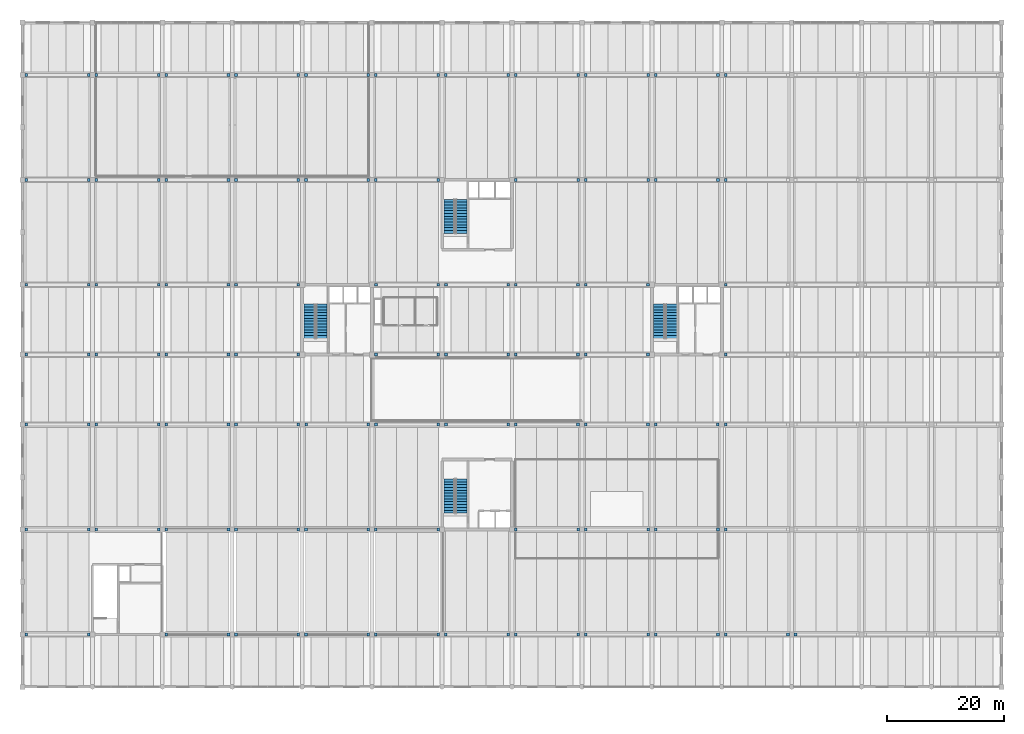
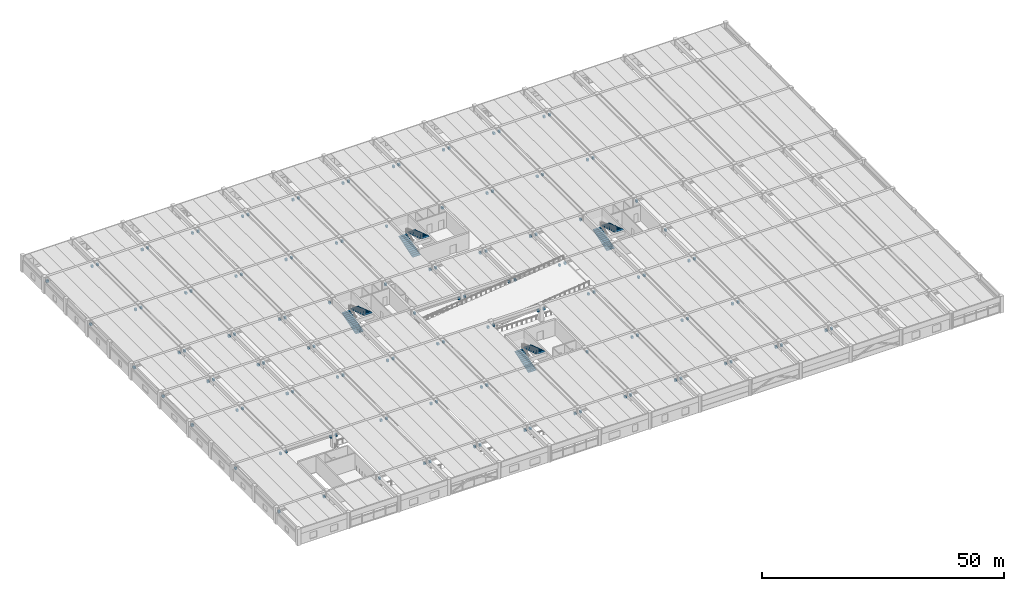
# One storey, part 41 of 50: 135 discrete accessories, 8 stair flights, 4 elements without a shape of their own.
"""IFC4 building model written with IfcOpenShell, lengths in metres."""

from ifc_helpers import new_model, si_unit, direction, frame, origin, origin_2d, place, context, subcontext, project, spatial, polyline, rectangle, outline, extrude, material, type_object, element, aggregate, save


model = new_model("IFC4")

# Units and contexts
model_context = context("Model", 3, precision=1e-05, world=origin(), true_north=direction((0.0, 1.0)))
body_context = subcontext(model_context, "Body", "Model", "MODEL_VIEW")
ifc_project = project(units=[si_unit("LENGTHUNIT", "METRE"), si_unit("AREAUNIT", "SQUARE_METRE"), si_unit("VOLUMEUNIT", "CUBIC_METRE"), si_unit("PLANEANGLEUNIT", "RADIAN"), si_unit("MASSUNIT", "GRAM", prefix="KILO")], contexts=[model_context])

# Site, building, storey
site_placement = place(None, origin())
site = spatial("IfcSite", under=ifc_project, at=site_placement, CompositionType="ELEMENT")
building_placement = place(site_placement, origin())
building = spatial("IfcBuilding", under=site, at=building_placement, Name="Girod Span Mobility Hub", CompositionType="ELEMENT")
storey_placement = place(building_placement, frame((0.0, 0.0, 5.39990234375)))
storey = spatial("IfcBuildingStorey", under=building, at=storey_placement, Name="L01", CompositionType="ELEMENT", Elevation=5.39990234375)

# Stair, stair flights
ifc_material_1 = material(Name="Concrete C40/50", Category="concrete")
stair_type = type_object("IfcStairType", Name="STR-4200-W1860", PredefinedType="HALF_TURN_STAIR", material=ifc_material_1)
stair_1_placement = place(storey_placement, origin())
stair_1 = element("IfcStair", 1, at=stair_1_placement, inside=storey, type_object=stair_type, Name="Exit Stair ST-1 L01", PredefinedType="HALF_TURN_STAIR")
ifc_material_2 = material(Name="Concrete C40/50", Category="concrete")
stair_flight_type = type_object("IfcStairFlightType", Name="STF-2100-W1860", PredefinedType="STRAIGHT", material=ifc_material_2)
stair_flight_1_placement = place(storey_placement, frame((49.25, 59.81005859375, 0.0), z_axis=(0.0, 0.0, 1.0), x_axis=(0.0, 1.0, 0.0)))
stair_flight_1 = element("IfcStairFlight", 2, at=stair_flight_1_placement, type_object=stair_flight_type, Name="Stair ST-1 Flight 1 L01", NumberOfRisers=13, NumberOfTreads=12, PredefinedType="STRAIGHT", RiserHeight=0.16154, TreadLength=0.4875, context=body_context, shape_type="SweptSolid", body=[
    extrude(outline(polyline([(0.0, 0.0), (0.0, 0.16162109375), (0.487548828125, 0.16162109375), (0.487548828125, 0.322998046875), (0.97509765625, 0.322998046875), (0.97509765625, 0.484619140625), (1.46240234375, 0.484619140625), (1.46240234375, 0.646240234375), (1.949951171875, 0.646240234375), (1.949951171875, 0.8076171875), (2.4375, 0.8076171875), (2.4375, 0.96923828125), (2.925048828125, 0.96923828125), (2.925048828125, 1.130859375), (3.41259765625, 1.130859375), (3.41259765625, 1.292236328125), (3.89990234375, 1.292236328125), (3.89990234375, 1.453857421875), (4.387451171875, 1.453857421875), (4.387451171875, 1.615478515625), (4.875, 1.615478515625), (4.875, 1.77685546875), (5.362548828125, 1.77685546875), (5.362548828125, 1.9384765625), (5.85009765625, 1.9384765625), (5.85009765625, 2.10009765625), (5.85009765625, 1.73828125), (0.603759765625, 0.0), (0.0, 0.0)])), frame((0.0, 0.93017578125, 0.0), z_axis=(0.0, -1.0, 0.0), x_axis=(1.0, 0.0, 0.0)), (0.0, 0.0, 1.0), 1.860107421875),
])
stair_flight_2_placement = place(storey_placement, frame((51.35009765625, 65.659912109375, 2.10009765625), z_axis=(0.0, 0.0, 1.0), x_axis=(0.0, -1.0, 0.0)))
stair_flight_2 = element("IfcStairFlight", 3, at=stair_flight_2_placement, type_object=stair_flight_type, Name="Stair ST-1 Flight 2 L01", NumberOfRisers=13, NumberOfTreads=12, PredefinedType="STRAIGHT", RiserHeight=0.16154, TreadLength=0.4875, context=body_context, shape_type="SweptSolid", body=[
    extrude(outline(polyline([(0.0, 0.0), (0.0, 0.16162109375), (0.487548828125, 0.16162109375), (0.487548828125, 0.322998046875), (0.97509765625, 0.322998046875), (0.97509765625, 0.484619140625), (1.46240234375, 0.484619140625), (1.46240234375, 0.646240234375), (1.949951171875, 0.646240234375), (1.949951171875, 0.8076171875), (2.4375, 0.8076171875), (2.4375, 0.96923828125), (2.925048828125, 0.96923828125), (2.925048828125, 1.130859375), (3.41259765625, 1.130859375), (3.41259765625, 1.292236328125), (3.89990234375, 1.292236328125), (3.89990234375, 1.453857421875), (4.387451171875, 1.453857421875), (4.387451171875, 1.615478515625), (4.875, 1.615478515625), (4.875, 1.77685546875), (5.362548828125, 1.77685546875), (5.362548828125, 1.9384765625), (5.85009765625, 1.9384765625), (5.85009765625, 2.10009765625), (5.85009765625, 1.73828125), (0.603759765625, 0.0), (0.0, 0.0)])), frame((0.0, 0.93017578125, 0.0), z_axis=(0.0, -1.0, 0.0), x_axis=(1.0, 0.0, 0.0)), (0.0, 0.0, 1.0), 1.860107421875),
])
aggregate(stair_1, [stair_flight_1, stair_flight_2])

stair_2_placement = place(storey_placement, origin())
stair_2 = element("IfcStair", 4, at=stair_2_placement, inside=storey, type_object=stair_type, Name="Exit Stair ST-2 L01", PredefinedType="HALF_TURN_STAIR")
stair_flight_3_placement = place(storey_placement, frame((109.25, 59.81005859375, 0.0), z_axis=(0.0, 0.0, 1.0), x_axis=(0.0, 1.0, 0.0)))
stair_flight_3 = element("IfcStairFlight", 5, at=stair_flight_3_placement, type_object=stair_flight_type, Name="Stair ST-2 Flight 1 L01", NumberOfRisers=13, NumberOfTreads=12, PredefinedType="STRAIGHT", RiserHeight=0.16154, TreadLength=0.4875, context=body_context, shape_type="SweptSolid", body=[
    extrude(outline(polyline([(0.0, 0.0), (0.0, 0.16162109375), (0.487548828125, 0.16162109375), (0.487548828125, 0.322998046875), (0.97509765625, 0.322998046875), (0.97509765625, 0.484619140625), (1.46240234375, 0.484619140625), (1.46240234375, 0.646240234375), (1.949951171875, 0.646240234375), (1.949951171875, 0.8076171875), (2.4375, 0.8076171875), (2.4375, 0.96923828125), (2.925048828125, 0.96923828125), (2.925048828125, 1.130859375), (3.41259765625, 1.130859375), (3.41259765625, 1.292236328125), (3.89990234375, 1.292236328125), (3.89990234375, 1.453857421875), (4.387451171875, 1.453857421875), (4.387451171875, 1.615478515625), (4.875, 1.615478515625), (4.875, 1.77685546875), (5.362548828125, 1.77685546875), (5.362548828125, 1.9384765625), (5.85009765625, 1.9384765625), (5.85009765625, 2.10009765625), (5.85009765625, 1.73828125), (0.603759765625, 0.0), (0.0, 0.0)])), frame((0.0, 0.93017578125, 0.0), z_axis=(0.0, -1.0, 0.0), x_axis=(1.0, 0.0, 0.0)), (0.0, 0.0, 1.0), 1.860107421875),
])
stair_flight_4_placement = place(storey_placement, frame((111.35009765625, 65.659912109375, 2.10009765625), z_axis=(0.0, 0.0, 1.0), x_axis=(0.0, -1.0, 0.0)))
stair_flight_4 = element("IfcStairFlight", 6, at=stair_flight_4_placement, type_object=stair_flight_type, Name="Stair ST-2 Flight 2 L01", NumberOfRisers=13, NumberOfTreads=12, PredefinedType="STRAIGHT", RiserHeight=0.16154, TreadLength=0.4875, context=body_context, shape_type="SweptSolid", body=[
    extrude(outline(polyline([(0.0, 0.0), (0.0, 0.16162109375), (0.487548828125, 0.16162109375), (0.487548828125, 0.322998046875), (0.97509765625, 0.322998046875), (0.97509765625, 0.484619140625), (1.46240234375, 0.484619140625), (1.46240234375, 0.646240234375), (1.949951171875, 0.646240234375), (1.949951171875, 0.8076171875), (2.4375, 0.8076171875), (2.4375, 0.96923828125), (2.925048828125, 0.96923828125), (2.925048828125, 1.130859375), (3.41259765625, 1.130859375), (3.41259765625, 1.292236328125), (3.89990234375, 1.292236328125), (3.89990234375, 1.453857421875), (4.387451171875, 1.453857421875), (4.387451171875, 1.615478515625), (4.875, 1.615478515625), (4.875, 1.77685546875), (5.362548828125, 1.77685546875), (5.362548828125, 1.9384765625), (5.85009765625, 1.9384765625), (5.85009765625, 2.10009765625), (5.85009765625, 1.73828125), (0.603759765625, 0.0), (0.0, 0.0)])), frame((0.0, 0.93017578125, 0.0), z_axis=(0.0, -1.0, 0.0), x_axis=(1.0, 0.0, 0.0)), (0.0, 0.0, 1.0), 1.860107421875),
])
aggregate(stair_2, [stair_flight_3, stair_flight_4])

stair_3_placement = place(storey_placement, origin())
stair_3 = element("IfcStair", 7, at=stair_3_placement, inside=storey, type_object=stair_type, Name="Exit Stair ST-3 L01", PredefinedType="HALF_TURN_STAIR")
stair_flight_5_placement = place(storey_placement, frame((73.25, 29.81005859375, 0.0), z_axis=(0.0, 0.0, 1.0), x_axis=(0.0, 1.0, 0.0)))
stair_flight_5 = element("IfcStairFlight", 8, at=stair_flight_5_placement, type_object=stair_flight_type, Name="Stair ST-3 Flight 1 L01", NumberOfRisers=13, NumberOfTreads=12, PredefinedType="STRAIGHT", RiserHeight=0.16154, TreadLength=0.4875, context=body_context, shape_type="SweptSolid", body=[
    extrude(outline(polyline([(0.0, 0.0), (0.0, 0.16162109375), (0.487548828125, 0.16162109375), (0.487548828125, 0.322998046875), (0.97509765625, 0.322998046875), (0.97509765625, 0.484619140625), (1.46240234375, 0.484619140625), (1.46240234375, 0.646240234375), (1.949951171875, 0.646240234375), (1.949951171875, 0.8076171875), (2.4375, 0.8076171875), (2.4375, 0.96923828125), (2.925048828125, 0.96923828125), (2.925048828125, 1.130859375), (3.41259765625, 1.130859375), (3.41259765625, 1.292236328125), (3.89990234375, 1.292236328125), (3.89990234375, 1.453857421875), (4.387451171875, 1.453857421875), (4.387451171875, 1.615478515625), (4.875, 1.615478515625), (4.875, 1.77685546875), (5.362548828125, 1.77685546875), (5.362548828125, 1.9384765625), (5.85009765625, 1.9384765625), (5.85009765625, 2.10009765625), (5.85009765625, 1.73828125), (0.603759765625, 0.0), (0.0, 0.0)])), frame((0.0, 0.93017578125, 0.0), z_axis=(0.0, -1.0, 0.0), x_axis=(1.0, 0.0, 0.0)), (0.0, 0.0, 1.0), 1.860107421875),
])
stair_flight_6_placement = place(storey_placement, frame((75.35009765625, 35.659912109375, 2.10009765625), z_axis=(0.0, 0.0, 1.0), x_axis=(0.0, -1.0, 0.0)))
stair_flight_6 = element("IfcStairFlight", 9, at=stair_flight_6_placement, type_object=stair_flight_type, Name="Stair ST-3 Flight 2 L01", NumberOfRisers=13, NumberOfTreads=12, PredefinedType="STRAIGHT", RiserHeight=0.16154, TreadLength=0.4875, context=body_context, shape_type="SweptSolid", body=[
    extrude(outline(polyline([(0.0, 0.0), (0.0, 0.16162109375), (0.487548828125, 0.16162109375), (0.487548828125, 0.322998046875), (0.97509765625, 0.322998046875), (0.97509765625, 0.484619140625), (1.46240234375, 0.484619140625), (1.46240234375, 0.646240234375), (1.949951171875, 0.646240234375), (1.949951171875, 0.8076171875), (2.4375, 0.8076171875), (2.4375, 0.96923828125), (2.925048828125, 0.96923828125), (2.925048828125, 1.130859375), (3.41259765625, 1.130859375), (3.41259765625, 1.292236328125), (3.89990234375, 1.292236328125), (3.89990234375, 1.453857421875), (4.387451171875, 1.453857421875), (4.387451171875, 1.615478515625), (4.875, 1.615478515625), (4.875, 1.77685546875), (5.362548828125, 1.77685546875), (5.362548828125, 1.9384765625), (5.85009765625, 1.9384765625), (5.85009765625, 2.10009765625), (5.85009765625, 1.73828125), (0.603759765625, 0.0), (0.0, 0.0)])), frame((0.0, 0.93017578125, 0.0), z_axis=(0.0, -1.0, 0.0), x_axis=(1.0, 0.0, 0.0)), (0.0, 0.0, 1.0), 1.860107421875),
])
aggregate(stair_3, [stair_flight_5, stair_flight_6])

stair_4_placement = place(storey_placement, origin())
stair_4 = element("IfcStair", 10, at=stair_4_placement, inside=storey, type_object=stair_type, Name="Exit Stair ST-4 L01", PredefinedType="HALF_TURN_STAIR")
stair_flight_7_placement = place(storey_placement, frame((73.25, 77.81005859375, 0.0), z_axis=(0.0, 0.0, 1.0), x_axis=(0.0, 1.0, 0.0)))
stair_flight_7 = element("IfcStairFlight", 11, at=stair_flight_7_placement, type_object=stair_flight_type, Name="Stair ST-4 Flight 1 L01", NumberOfRisers=13, NumberOfTreads=12, PredefinedType="STRAIGHT", RiserHeight=0.16154, TreadLength=0.4875, context=body_context, shape_type="SweptSolid", body=[
    extrude(outline(polyline([(0.0, 0.0), (0.0, 0.16162109375), (0.487548828125, 0.16162109375), (0.487548828125, 0.322998046875), (0.97509765625, 0.322998046875), (0.97509765625, 0.484619140625), (1.46240234375, 0.484619140625), (1.46240234375, 0.646240234375), (1.949951171875, 0.646240234375), (1.949951171875, 0.8076171875), (2.4375, 0.8076171875), (2.4375, 0.96923828125), (2.925048828125, 0.96923828125), (2.925048828125, 1.130859375), (3.41259765625, 1.130859375), (3.41259765625, 1.292236328125), (3.89990234375, 1.292236328125), (3.89990234375, 1.453857421875), (4.387451171875, 1.453857421875), (4.387451171875, 1.615478515625), (4.875, 1.615478515625), (4.875, 1.77685546875), (5.362548828125, 1.77685546875), (5.362548828125, 1.9384765625), (5.85009765625, 1.9384765625), (5.85009765625, 2.10009765625), (5.85009765625, 1.73828125), (0.603759765625, 0.0), (0.0, 0.0)])), frame((0.0, 0.93017578125, 0.0), z_axis=(0.0, -1.0, 0.0), x_axis=(1.0, 0.0, 0.0)), (0.0, 0.0, 1.0), 1.860107421875),
])
stair_flight_8_placement = place(storey_placement, frame((75.35009765625, 83.659912109375, 2.10009765625), z_axis=(0.0, 0.0, 1.0), x_axis=(0.0, -1.0, 0.0)))
stair_flight_8 = element("IfcStairFlight", 12, at=stair_flight_8_placement, type_object=stair_flight_type, Name="Stair ST-4 Flight 2 L01", NumberOfRisers=13, NumberOfTreads=12, PredefinedType="STRAIGHT", RiserHeight=0.16154, TreadLength=0.4875, context=body_context, shape_type="SweptSolid", body=[
    extrude(outline(polyline([(0.0, 0.0), (0.0, 0.16162109375), (0.487548828125, 0.16162109375), (0.487548828125, 0.322998046875), (0.97509765625, 0.322998046875), (0.97509765625, 0.484619140625), (1.46240234375, 0.484619140625), (1.46240234375, 0.646240234375), (1.949951171875, 0.646240234375), (1.949951171875, 0.8076171875), (2.4375, 0.8076171875), (2.4375, 0.96923828125), (2.925048828125, 0.96923828125), (2.925048828125, 1.130859375), (3.41259765625, 1.130859375), (3.41259765625, 1.292236328125), (3.89990234375, 1.292236328125), (3.89990234375, 1.453857421875), (4.387451171875, 1.453857421875), (4.387451171875, 1.615478515625), (4.875, 1.615478515625), (4.875, 1.77685546875), (5.362548828125, 1.77685546875), (5.362548828125, 1.9384765625), (5.85009765625, 1.9384765625), (5.85009765625, 2.10009765625), (5.85009765625, 1.73828125), (0.603759765625, 0.0), (0.0, 0.0)])), frame((0.0, 0.93017578125, 0.0), z_axis=(0.0, -1.0, 0.0), x_axis=(1.0, 0.0, 0.0)), (0.0, 0.0, 1.0), 1.860107421875),
])
aggregate(stair_4, [stair_flight_7, stair_flight_8])

# Discrete accessories
ifc_material_3 = material(Name="Concrete C40/50", Category="concrete")
discrete_accessory_type = type_object("IfcDiscreteAccessoryType", Name="ACC-CORBEL-550", PredefinedType="BRACKET", material=ifc_material_3)
for number, where, z_axis, x_axis, name in (
    (13, (0.64794921875, 9.0, 2.44189453125), (0.0, 0.0, 1.0), (1.0, 0.0, 0.0), "Precast Corbel 1/B-L L01"),
    (14, (11.35205078125, 9.0, 2.44189453125), (0.0, 0.0, 1.0), (1.0, 0.0, 0.0), "Precast Corbel 1/B-R L01"),
    (15, (24.64794921875, 9.0, 2.44189453125), (0.0, 0.0, 1.0), (1.0, 0.0, 0.0), "Precast Corbel 3/B-L L01"),
    (16, (35.35205078125, 9.0, 2.44189453125), (0.0, 0.0, 1.0), (1.0, 0.0, 0.0), "Precast Corbel 3/B-R L01"),
    (17, (36.64794921875, 9.0, 2.44189453125), (0.0, 0.0, 1.0), (1.0, 0.0, 0.0), "Precast Corbel 4/B-L L01"),
    (18, (47.35205078125, 9.0, 2.44189453125), (0.0, 0.0, 1.0), (1.0, 0.0, 0.0), "Precast Corbel 4/B-R L01"),
    (19, (48.64794921875, 9.0, 2.44189453125), (0.0, 0.0, 1.0), (1.0, 0.0, 0.0), "Precast Corbel 5/B-L L01"),
    (20, (59.35205078125, 9.0, 2.44189453125), (0.0, 0.0, 1.0), (1.0, 0.0, 0.0), "Precast Corbel 5/B-R L01"),
    (21, (60.64794921875, 9.0, 2.44189453125), (0.0, 0.0, 1.0), (1.0, 0.0, 0.0), "Precast Corbel 6/B-L L01"),
    (22, (71.35205078125, 9.0, 2.44189453125), (0.0, 0.0, 1.0), (1.0, 0.0, 0.0), "Precast Corbel 6/B-R L01"),
    (23, (72.64794921875, 9.0, 2.44189453125), (0.0, 0.0, 1.0), (1.0, 0.0, 0.0), "Precast Corbel 7/B-L L01"),
    (24, (83.35205078125, 9.0, 2.44189453125), (0.0, 0.0, 1.0), (1.0, 0.0, 0.0), "Precast Corbel 7/B-R L01"),
    (25, (84.64794921875, 9.0, 2.44189453125), (0.0, 0.0, 1.0), (1.0, 0.0, 0.0), "Precast Corbel 8/B-L L01"),
    (26, (95.35205078125, 9.0, 2.44189453125), (0.0, 0.0, 1.0), (1.0, 0.0, 0.0), "Precast Corbel 8/B-R L01"),
    (27, (96.64794921875, 9.0, 2.44189453125), (0.0, 0.0, 1.0), (1.0, 0.0, 0.0), "Precast Corbel 9/B-L L01"),
    (28, (107.35205078125, 9.0, 2.44189453125), (0.0, 0.0, 1.0), (1.0, 0.0, 0.0), "Precast Corbel 9/B-R L01"),
    (29, (108.64794921875, 9.0, 2.44189453125), (0.0, 0.0, 1.0), (1.0, 0.0, 0.0), "Precast Corbel 10/B-L L01"),
    (30, (119.35205078125, 9.0, 2.44189453125), (0.0, 0.0, 1.0), (1.0, 0.0, 0.0), "Precast Corbel 10/B-R L01"),
    (31, (120.64794921875, 9.0, 2.44189453125), (0.0, 0.0, 1.0), (1.0, 0.0, 0.0), "Precast Corbel 11/B-L L01"),
    (32, (131.35205078125, 9.0, 2.44189453125), (0.0, 0.0, 1.0), (1.0, 0.0, 0.0), "Precast Corbel 11/B-R L01"),
    (33, (132.64794921875, 9.0, 2.44189453125), (0.0, 0.0, 1.0), (1.0, 0.0, 0.0), "Precast Corbel 12/B-L L01"),
    (34, (0.64794921875, 27.0, 2.44189453125), (0.0, 0.0, 1.0), (1.0, 0.0, 0.0), "Precast Corbel 1/C-L L01"),
    (35, (11.35205078125, 27.0, 2.44189453125), (0.0, 0.0, 1.0), (1.0, 0.0, 0.0), "Precast Corbel 1/C-R L01"),
    (36, (12.64794921875, 27.0, 2.44189453125), (0.0, 0.0, 1.0), (1.0, 0.0, 0.0), "Precast Corbel 2/C-L L01"),
    (37, (23.35205078125, 27.0, 2.44189453125), (0.0, 0.0, 1.0), (1.0, 0.0, 0.0), "Precast Corbel 2/C-R L01"),
    (38, (24.64794921875, 27.0, 2.44189453125), (0.0, 0.0, 1.0), (1.0, 0.0, 0.0), "Precast Corbel 3/C-L L01"),
    (39, (35.35205078125, 27.0, 2.44189453125), (0.0, 0.0, 1.0), (1.0, 0.0, 0.0), "Precast Corbel 3/C-R L01"),
    (40, (36.64794921875, 27.0, 2.44189453125), (0.0, 0.0, 1.0), (1.0, 0.0, 0.0), "Precast Corbel 4/C-L L01"),
    (41, (47.35205078125, 27.0, 2.44189453125), (0.0, 0.0, 1.0), (1.0, 0.0, 0.0), "Precast Corbel 4/C-R L01"),
    (42, (48.64794921875, 27.0, 2.44189453125), (0.0, 0.0, 1.0), (1.0, 0.0, 0.0), "Precast Corbel 5/C-L L01"),
    (43, (59.35205078125, 27.0, 2.44189453125), (0.0, 0.0, 1.0), (1.0, 0.0, 0.0), "Precast Corbel 5/C-R L01"),
    (44, (60.64794921875, 27.0, 2.44189453125), (0.0, 0.0, 1.0), (1.0, 0.0, 0.0), "Precast Corbel 6/C-L L01"),
    (45, (71.35205078125, 27.0, 2.44189453125), (0.0, 0.0, 1.0), (1.0, 0.0, 0.0), "Precast Corbel 6/C-R L01"),
    (46, (84.64794921875, 27.0, 2.44189453125), (0.0, 0.0, 1.0), (1.0, 0.0, 0.0), "Precast Corbel 8/C-L L01"),
    (47, (95.35205078125, 27.0, 2.44189453125), (0.0, 0.0, 1.0), (1.0, 0.0, 0.0), "Precast Corbel 8/C-R L01"),
    (48, (96.64794921875, 27.0, 2.44189453125), (0.0, 0.0, 1.0), (1.0, 0.0, 0.0), "Precast Corbel 9/C-L L01"),
    (49, (107.35205078125, 27.0, 2.44189453125), (0.0, 0.0, 1.0), (1.0, 0.0, 0.0), "Precast Corbel 9/C-R L01"),
    (50, (108.64794921875, 27.0, 2.44189453125), (0.0, 0.0, 1.0), (1.0, 0.0, 0.0), "Precast Corbel 10/C-L L01"),
    (51, (119.35205078125, 27.0, 2.44189453125), (0.0, 0.0, 1.0), (1.0, 0.0, 0.0), "Precast Corbel 10/C-R L01"),
    (52, (120.64794921875, 27.0, 2.44189453125), (0.0, 0.0, 1.0), (1.0, 0.0, 0.0), "Precast Corbel 11/C-L L01"),
    (53, (0.64794921875, 45.0, 2.44189453125), (0.0, 0.0, 1.0), (1.0, 0.0, 0.0), "Precast Corbel 1/D-L L01"),
    (54, (11.35205078125, 45.0, 2.44189453125), (0.0, 0.0, 1.0), (1.0, 0.0, 0.0), "Precast Corbel 1/D-R L01"),
    (55, (12.64794921875, 45.0, 2.44189453125), (0.0, 0.0, 1.0), (1.0, 0.0, 0.0), "Precast Corbel 2/D-L L01"),
    (56, (23.35205078125, 45.0, 2.44189453125), (0.0, 0.0, 1.0), (1.0, 0.0, 0.0), "Precast Corbel 2/D-R L01"),
    (57, (24.64794921875, 45.0, 2.44189453125), (0.0, 0.0, 1.0), (1.0, 0.0, 0.0), "Precast Corbel 3/D-L L01"),
    (58, (35.35205078125, 45.0, 2.44189453125), (0.0, 0.0, 1.0), (1.0, 0.0, 0.0), "Precast Corbel 3/D-R L01"),
    (59, (36.64794921875, 45.0, 2.44189453125), (0.0, 0.0, 1.0), (1.0, 0.0, 0.0), "Precast Corbel 4/D-L L01"),
    (60, (47.326904296875, 45.0, 2.44189453125), (0.0, 0.0, 1.0), (1.0, 0.0, 0.0), "Precast Corbel 4/D-R L01"),
    (61, (48.673095703125, 45.0, 2.44189453125), (0.0, 0.0, 1.0), (1.0, 0.0, 0.0), "Precast Corbel 5/D-L L01"),
    (62, (59.326904296875, 45.0, 2.44189453125), (0.0, 0.0, 1.0), (1.0, 0.0, 0.0), "Precast Corbel 5/D-R L01"),
    (63, (60.673095703125, 45.0, 2.44189453125), (0.0, 0.0, 1.0), (1.0, 0.0, 0.0), "Precast Corbel 6/D-L L01"),
    (64, (71.326904296875, 45.0, 2.44189453125), (0.0, 0.0, 1.0), (1.0, 0.0, 0.0), "Precast Corbel 6/D-R L01"),
    (65, (72.673095703125, 45.0, 2.44189453125), (0.0, 0.0, 1.0), (1.0, 0.0, 0.0), "Precast Corbel 7/D-L L01"),
    (66, (83.326904296875, 45.0, 2.44189453125), (0.0, 0.0, 1.0), (1.0, 0.0, 0.0), "Precast Corbel 7/D-R L01"),
    (67, (84.673095703125, 45.0, 2.44189453125), (0.0, 0.0, 1.0), (1.0, 0.0, 0.0), "Precast Corbel 8/D-L L01"),
    (68, (95.326904296875, 45.0, 2.44189453125), (0.0, 0.0, 1.0), (1.0, 0.0, 0.0), "Precast Corbel 8/D-R L01"),
    (69, (96.673095703125, 45.0, 2.44189453125), (0.0, 0.0, 1.0), (1.0, 0.0, 0.0), "Precast Corbel 9/D-L L01"),
    (70, (107.326904296875, 45.0, 2.44189453125), (0.0, 0.0, 1.0), (1.0, 0.0, 0.0), "Precast Corbel 9/D-R L01"),
    (71, (108.673095703125, 45.0, 2.44189453125), (0.0, 0.0, 1.0), (1.0, 0.0, 0.0), "Precast Corbel 10/D-L L01"),
    (72, (119.326904296875, 45.0, 2.44189453125), (0.0, 0.0, 1.0), (1.0, 0.0, 0.0), "Precast Corbel 10/D-R L01"),
    (73, (120.673095703125, 45.0, 2.44189453125), (0.0, 0.0, 1.0), (1.0, 0.0, 0.0), "Precast Corbel 11/D-L L01"),
    (74, (0.64794921875, 57.0, 2.44189453125), (0.0, 0.0, 1.0), (1.0, 0.0, 0.0), "Precast Corbel 1/E-L L01"),
    (75, (11.35205078125, 57.0, 2.44189453125), (0.0, 0.0, 1.0), (1.0, 0.0, 0.0), "Precast Corbel 1/E-R L01"),
    (76, (12.64794921875, 57.0, 2.44189453125), (0.0, 0.0, 1.0), (1.0, 0.0, 0.0), "Precast Corbel 2/E-L L01"),
    (77, (23.35205078125, 57.0, 2.44189453125), (0.0, 0.0, 1.0), (1.0, 0.0, 0.0), "Precast Corbel 2/E-R L01"),
    (78, (24.64794921875, 57.0, 2.44189453125), (0.0, 0.0, 1.0), (1.0, 0.0, 0.0), "Precast Corbel 3/E-L L01"),
    (79, (35.35205078125, 57.0, 2.44189453125), (0.0, 0.0, 1.0), (1.0, 0.0, 0.0), "Precast Corbel 3/E-R L01"),
    (80, (36.64794921875, 57.0, 2.44189453125), (0.0, 0.0, 1.0), (1.0, 0.0, 0.0), "Precast Corbel 4/E-L L01"),
    (81, (47.326904296875, 57.0, 2.44189453125), (0.0, 0.0, 1.0), (1.0, 0.0, 0.0), "Precast Corbel 4/E-R L01"),
    (82, (60.673095703125, 57.0, 2.44189453125), (0.0, 0.0, 1.0), (1.0, 0.0, 0.0), "Precast Corbel 6/E-L L01"),
    (83, (71.326904296875, 57.0, 2.44189453125), (0.0, 0.0, 1.0), (1.0, 0.0, 0.0), "Precast Corbel 6/E-R L01"),
    (84, (72.673095703125, 57.0, 2.44189453125), (0.0, 0.0, 1.0), (1.0, 0.0, 0.0), "Precast Corbel 7/E-L L01"),
    (85, (83.326904296875, 57.0, 2.44189453125), (0.0, 0.0, 1.0), (1.0, 0.0, 0.0), "Precast Corbel 7/E-R L01"),
    (86, (84.673095703125, 57.0, 2.44189453125), (0.0, 0.0, 1.0), (1.0, 0.0, 0.0), "Precast Corbel 8/E-L L01"),
    (87, (95.326904296875, 57.0, 2.44189453125), (0.0, 0.0, 1.0), (1.0, 0.0, 0.0), "Precast Corbel 8/E-R L01"),
    (88, (96.673095703125, 57.0, 2.44189453125), (0.0, 0.0, 1.0), (1.0, 0.0, 0.0), "Precast Corbel 9/E-L L01"),
    (89, (107.326904296875, 57.0, 2.44189453125), (0.0, 0.0, 1.0), (1.0, 0.0, 0.0), "Precast Corbel 9/E-R L01"),
    (90, (120.673095703125, 57.0, 2.44189453125), (0.0, 0.0, 1.0), (1.0, 0.0, 0.0), "Precast Corbel 11/E-L L01"),
    (91, (0.64794921875, 69.0, 2.44189453125), (0.0, 0.0, 1.0), (1.0, 0.0, 0.0), "Precast Corbel 1/F-L L01"),
    (92, (11.35205078125, 69.0, 2.44189453125), (0.0, 0.0, 1.0), (1.0, 0.0, 0.0), "Precast Corbel 1/F-R L01"),
    (93, (12.64794921875, 69.0, 2.44189453125), (0.0, 0.0, 1.0), (1.0, 0.0, 0.0), "Precast Corbel 2/F-L L01"),
    (94, (23.35205078125, 69.0, 2.44189453125), (0.0, 0.0, 1.0), (1.0, 0.0, 0.0), "Precast Corbel 2/F-R L01"),
    (95, (24.64794921875, 69.0, 2.44189453125), (0.0, 0.0, 1.0), (1.0, 0.0, 0.0), "Precast Corbel 3/F-L L01"),
    (96, (35.35205078125, 69.0, 2.44189453125), (0.0, 0.0, 1.0), (1.0, 0.0, 0.0), "Precast Corbel 3/F-R L01"),
    (97, (36.64794921875, 69.0, 2.44189453125), (0.0, 0.0, 1.0), (1.0, 0.0, 0.0), "Precast Corbel 4/F-L L01"),
    (98, (47.326904296875, 69.0, 2.44189453125), (0.0, 0.0, 1.0), (1.0, 0.0, 0.0), "Precast Corbel 4/F-R L01"),
    (99, (60.673095703125, 69.0, 2.44189453125), (0.0, 0.0, 1.0), (1.0, 0.0, 0.0), "Precast Corbel 6/F-L L01"),
    (100, (71.326904296875, 69.0, 2.44189453125), (0.0, 0.0, 1.0), (1.0, 0.0, 0.0), "Precast Corbel 6/F-R L01"),
    (101, (72.673095703125, 69.0, 2.44189453125), (0.0, 0.0, 1.0), (1.0, 0.0, 0.0), "Precast Corbel 7/F-L L01"),
    (102, (83.326904296875, 69.0, 2.44189453125), (0.0, 0.0, 1.0), (1.0, 0.0, 0.0), "Precast Corbel 7/F-R L01"),
    (103, (84.673095703125, 69.0, 2.44189453125), (0.0, 0.0, 1.0), (1.0, 0.0, 0.0), "Precast Corbel 8/F-L L01"),
    (104, (95.326904296875, 69.0, 2.44189453125), (0.0, 0.0, 1.0), (1.0, 0.0, 0.0), "Precast Corbel 8/F-R L01"),
    (105, (96.673095703125, 69.0, 2.44189453125), (0.0, 0.0, 1.0), (1.0, 0.0, 0.0), "Precast Corbel 9/F-L L01"),
    (106, (107.326904296875, 69.0, 2.44189453125), (0.0, 0.0, 1.0), (1.0, 0.0, 0.0), "Precast Corbel 9/F-R L01"),
    (107, (120.673095703125, 69.0, 2.44189453125), (0.0, 0.0, 1.0), (1.0, 0.0, 0.0), "Precast Corbel 11/F-L L01"),
    (108, (0.64794921875, 87.0, 2.44189453125), (0.0, 0.0, 1.0), (1.0, 0.0, 0.0), "Precast Corbel 1/G-L L01"),
    (109, (11.35205078125, 87.0, 2.44189453125), (0.0, 0.0, 1.0), (1.0, 0.0, 0.0), "Precast Corbel 1/G-R L01"),
    (110, (12.64794921875, 87.0, 2.44189453125), (0.0, 0.0, 1.0), (1.0, 0.0, 0.0), "Precast Corbel 2/G-L L01"),
    (111, (23.35205078125, 87.0, 2.44189453125), (0.0, 0.0, 1.0), (1.0, 0.0, 0.0), "Precast Corbel 2/G-R L01"),
    (112, (24.64794921875, 87.0, 2.44189453125), (0.0, 0.0, 1.0), (1.0, 0.0, 0.0), "Precast Corbel 3/G-L L01"),
    (113, (35.35205078125, 87.0, 2.44189453125), (0.0, 0.0, 1.0), (1.0, 0.0, 0.0), "Precast Corbel 3/G-R L01"),
    (114, (36.64794921875, 87.0, 2.44189453125), (0.0, 0.0, 1.0), (1.0, 0.0, 0.0), "Precast Corbel 4/G-L L01"),
    (115, (47.35205078125, 87.0, 2.44189453125), (0.0, 0.0, 1.0), (1.0, 0.0, 0.0), "Precast Corbel 4/G-R L01"),
    (116, (48.64794921875, 87.0, 2.44189453125), (0.0, 0.0, 1.0), (1.0, 0.0, 0.0), "Precast Corbel 5/G-L L01"),
    (117, (59.35205078125, 87.0, 2.44189453125), (0.0, 0.0, 1.0), (1.0, 0.0, 0.0), "Precast Corbel 5/G-R L01"),
    (118, (60.64794921875, 87.0, 2.44189453125), (0.0, 0.0, 1.0), (1.0, 0.0, 0.0), "Precast Corbel 6/G-L L01"),
    (119, (71.35205078125, 87.0, 2.44189453125), (0.0, 0.0, 1.0), (1.0, 0.0, 0.0), "Precast Corbel 6/G-R L01"),
    (120, (84.64794921875, 87.0, 2.44189453125), (0.0, 0.0, 1.0), (1.0, 0.0, 0.0), "Precast Corbel 8/G-L L01"),
    (121, (95.35205078125, 87.0, 2.44189453125), (0.0, 0.0, 1.0), (1.0, 0.0, 0.0), "Precast Corbel 8/G-R L01"),
    (122, (96.64794921875, 87.0, 2.44189453125), (0.0, 0.0, 1.0), (1.0, 0.0, 0.0), "Precast Corbel 9/G-L L01"),
    (123, (107.35205078125, 87.0, 2.44189453125), (0.0, 0.0, 1.0), (1.0, 0.0, 0.0), "Precast Corbel 9/G-R L01"),
    (124, (108.64794921875, 87.0, 2.44189453125), (0.0, 0.0, 1.0), (1.0, 0.0, 0.0), "Precast Corbel 10/G-L L01"),
    (125, (119.35205078125, 87.0, 2.44189453125), (0.0, 0.0, 1.0), (1.0, 0.0, 0.0), "Precast Corbel 10/G-R L01"),
    (126, (120.64794921875, 87.0, 2.44189453125), (0.0, 0.0, 1.0), (1.0, 0.0, 0.0), "Precast Corbel 11/G-L L01"),
    (127, (0.64794921875, 105.0, 2.44189453125), (0.0, 0.0, 1.0), (1.0, 0.0, 0.0), "Precast Corbel 1/H-L L01"),
    (128, (11.35205078125, 105.0, 2.44189453125), (0.0, 0.0, 1.0), (1.0, 0.0, 0.0), "Precast Corbel 1/H-R L01"),
    (129, (12.64794921875, 105.0, 2.44189453125), (0.0, 0.0, 1.0), (1.0, 0.0, 0.0), "Precast Corbel 2/H-L L01"),
    (130, (23.35205078125, 105.0, 2.44189453125), (0.0, 0.0, 1.0), (1.0, 0.0, 0.0), "Precast Corbel 2/H-R L01"),
    (131, (24.64794921875, 105.0, 2.44189453125), (0.0, 0.0, 1.0), (1.0, 0.0, 0.0), "Precast Corbel 3/H-L L01"),
    (132, (35.35205078125, 105.0, 2.44189453125), (0.0, 0.0, 1.0), (1.0, 0.0, 0.0), "Precast Corbel 3/H-R L01"),
    (133, (36.64794921875, 105.0, 2.44189453125), (0.0, 0.0, 1.0), (1.0, 0.0, 0.0), "Precast Corbel 4/H-L L01"),
    (134, (47.35205078125, 105.0, 2.44189453125), (0.0, 0.0, 1.0), (1.0, 0.0, 0.0), "Precast Corbel 4/H-R L01"),
    (135, (48.64794921875, 105.0, 2.44189453125), (0.0, 0.0, 1.0), (1.0, 0.0, 0.0), "Precast Corbel 5/H-L L01"),
    (136, (59.35205078125, 105.0, 2.44189453125), (0.0, 0.0, 1.0), (1.0, 0.0, 0.0), "Precast Corbel 5/H-R L01"),
    (137, (60.64794921875, 105.0, 2.44189453125), (0.0, 0.0, 1.0), (1.0, 0.0, 0.0), "Precast Corbel 6/H-L L01"),
    (138, (71.35205078125, 105.0, 2.44189453125), (0.0, 0.0, 1.0), (1.0, 0.0, 0.0), "Precast Corbel 6/H-R L01"),
    (139, (72.64794921875, 105.0, 2.44189453125), (0.0, 0.0, 1.0), (1.0, 0.0, 0.0), "Precast Corbel 7/H-L L01"),
    (140, (83.35205078125, 105.0, 2.44189453125), (0.0, 0.0, 1.0), (1.0, 0.0, 0.0), "Precast Corbel 7/H-R L01"),
    (141, (84.64794921875, 105.0, 2.44189453125), (0.0, 0.0, 1.0), (1.0, 0.0, 0.0), "Precast Corbel 8/H-L L01"),
    (142, (95.35205078125, 105.0, 2.44189453125), (0.0, 0.0, 1.0), (1.0, 0.0, 0.0), "Precast Corbel 8/H-R L01"),
    (143, (96.64794921875, 105.0, 2.44189453125), (0.0, 0.0, 1.0), (1.0, 0.0, 0.0), "Precast Corbel 9/H-L L01"),
    (144, (107.35205078125, 105.0, 2.44189453125), (0.0, 0.0, 1.0), (1.0, 0.0, 0.0), "Precast Corbel 9/H-R L01"),
    (145, (108.64794921875, 105.0, 2.44189453125), (0.0, 0.0, 1.0), (1.0, 0.0, 0.0), "Precast Corbel 10/H-L L01"),
    (146, (119.35205078125, 105.0, 2.44189453125), (0.0, 0.0, 1.0), (1.0, 0.0, 0.0), "Precast Corbel 10/H-R L01"),
    (147, (120.64794921875, 105.0, 2.44189453125), (0.0, 0.0, 1.0), (1.0, 0.0, 0.0), "Precast Corbel 11/H-L L01"),
):
    element("IfcDiscreteAccessory", number, at=place(storey_placement, frame(where, z_axis=z_axis, x_axis=x_axis)), inside=storey, type_object=discrete_accessory_type, Name=name, PredefinedType="BRACKET", context=body_context, shape_type="SweptSolid", body=[
        extrude(rectangle(XDim=0.449951171875, YDim=0.5, at=origin_2d()), origin(), (0.0, 0.0, 1.0), 0.550048828125),
    ])

save(model, "model.ifc")
